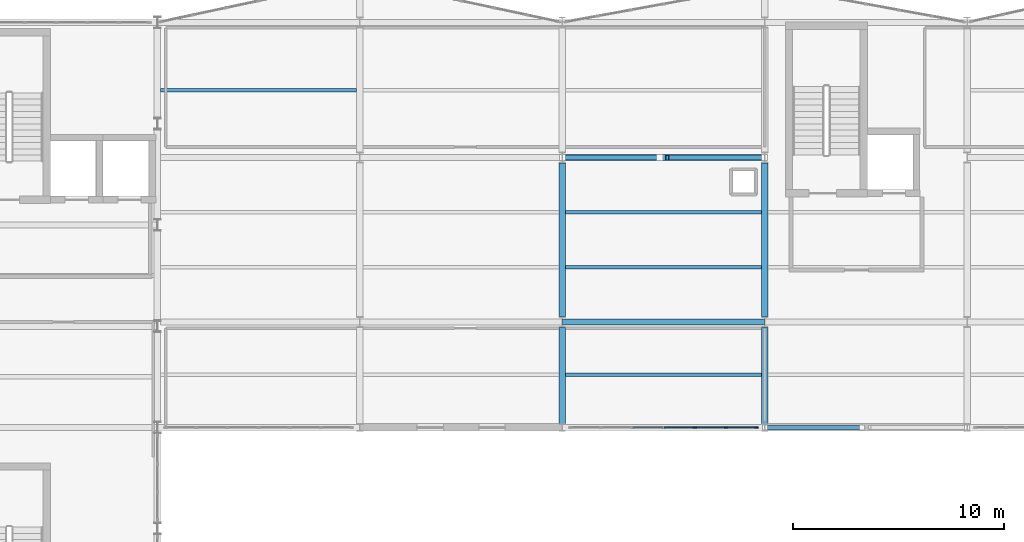
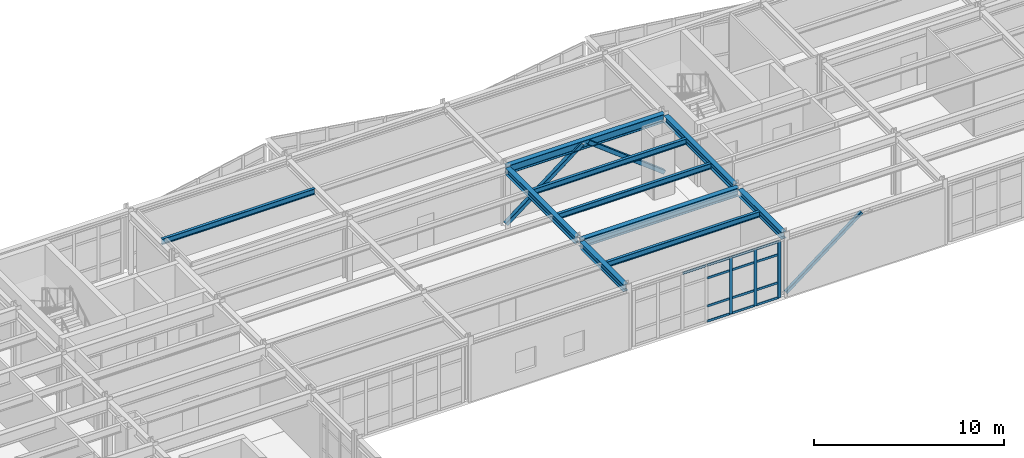
# One storey, part 34 of 76: 19 members, 10 beams, 1 element without a shape of its own.
"""IFC4 building model written with IfcOpenShell, lengths in metres."""

from ifc_helpers import new_model, si_unit, direction, frame, origin, origin_2d, place, context, subcontext, project, spatial, rectangle, hollow_rectangle, i_section, extrude, material, layer, layer_set, material_profile, profile_set, type_object, element, aggregate, save


model = new_model("IFC4")

# Units and contexts
model_context = context("Model", 3, precision=1e-05, world=origin(), true_north=direction((0.0, 1.0)))
body_context = subcontext(model_context, "Body", "Model", "MODEL_VIEW")
ifc_project = project(units=[si_unit("LENGTHUNIT", "METRE"), si_unit("AREAUNIT", "SQUARE_METRE"), si_unit("VOLUMEUNIT", "CUBIC_METRE"), si_unit("PLANEANGLEUNIT", "RADIAN"), si_unit("MASSUNIT", "GRAM", prefix="KILO")], contexts=[model_context])

# Site, building, storey
site_placement = place(None, origin())
site = spatial("IfcSite", under=ifc_project, at=site_placement, CompositionType="ELEMENT")
building_placement = place(site_placement, origin())
building = spatial("IfcBuilding", under=site, at=building_placement, Name="Nordkorset Police Headquarters", CompositionType="ELEMENT")
storey_placement = place(building_placement, frame((0.0, 0.0, 13.64990234375)))
storey = spatial("IfcBuildingStorey", under=building, at=storey_placement, Name="L03", CompositionType="ELEMENT", Elevation=13.64990234375)

# Beams
ifc_material_1 = material(Name="Steel S355J2", Category="steel")
ifc_material_profile_1 = material_profile(ifc_material_1, i_section(OverallWidth=0.169921875, OverallDepth=0.360107421875, WebThickness=0.008056640625, FlangeThickness=0.0126953125, FilletRadius=0.01806640625, at=origin_2d()), Name="IPE 360")
ifc_profile_set_1 = profile_set([ifc_material_profile_1], Name="Steel S355J2")
beam_type_1 = type_object("IfcBeamType", Name="Beam_IPE_360", PredefinedType="BEAM", material=ifc_profile_set_1)
for number, where, z_axis, x_axis, name in (
    (1, (28.949951171875, 113.60009765625, 3.800048828125), (1.0, 0.0, 0.0), (0.0, 1.0, 0.0), "Composite Floor Beam V2 L03 0-2-1"),
    (2, (48.14990234375, 100.10009765625, 3.800048828125), (1.0, 0.0, 0.0), (0.0, 1.0, 0.0), "Composite Floor Beam V2 L03 2-0-1"),
    (3, (48.14990234375, 105.199951171875, 3.800048828125), (1.0, 0.0, 0.0), (0.0, 1.0, 0.0), "Composite Floor Beam V2 L03 2-1-1"),
    (4, (48.14990234375, 107.800048828125, 3.800048828125), (1.0, 0.0, 0.0), (0.0, 1.0, 0.0), "Composite Floor Beam V2 L03 2-1-2"),
):
    element("IfcBeam", number, at=place(storey_placement, frame(where, z_axis=z_axis, x_axis=x_axis)), inside=storey, type_object=beam_type_1, Name=name, PredefinedType="BEAM", context=body_context, shape_type="SweptSolid", body=[
        extrude(i_section(OverallWidth=0.169921875, OverallDepth=0.360107421875, WebThickness=0.008056640625, FlangeThickness=0.0126953125, FilletRadius=0.01806640625, at=origin_2d()), origin(), (0.0, 0.0, 1.0), 9.300048828125),
    ])

# Members
ifc_material_2 = material(Name="Steel S355J2", Category="steel")
ifc_material_profile_2 = material_profile(ifc_material_2, hollow_rectangle(XDim=0.199951171875, YDim=0.199951171875, WallThickness=0.010009765625, InnerFilletRadius=0.010009765625, OuterFilletRadius=0.02001953125, at=origin_2d()), Name="SHS 200x200x10")
ifc_profile_set_2 = profile_set([ifc_material_profile_2], Name="Steel S355J2")
member_type_1 = type_object("IfcMemberType", Name="Brace_SHS_200x200x10", PredefinedType="BRACE", material=ifc_profile_set_2)
member_1_placement = place(storey_placement, frame((57.60595703125, 97.60009765625, 0.2001953125), z_axis=(0.791746363809, 0.0, 0.610849977814), x_axis=(0.0, 1.0, 0.0)))
element("IfcMember", 5, at=member_1_placement, inside=storey, type_object=member_type_1, Name="Lateral Chevron Brace BF-EXT-V2S L03 D1", PredefinedType="BRACE", context=body_context, shape_type="SweptSolid", body=[
    extrude(hollow_rectangle(XDim=0.199951171875, YDim=0.199951171875, WallThickness=0.010009765625, InnerFilletRadius=0.010009765625, OuterFilletRadius=0.02001953125, at=origin_2d()), origin(), (0.0, 0.0, 1.0), 5.82763671875),
])
ifc_material_3 = material(Name="Steel S355J2", Category="steel")
ifc_material_profile_3 = material_profile(ifc_material_3, hollow_rectangle(XDim=0.25, YDim=0.25, WallThickness=0.012451171875, InnerFilletRadius=0.012451171875, OuterFilletRadius=0.02490234375, at=origin_2d()), Name="SHS 250x250x12.5")
ifc_profile_set_3 = profile_set([ifc_material_profile_3], Name="Steel S355J2")
member_type_2 = type_object("IfcMemberType", Name="Brace_SHS_250x250x12.5", PredefinedType="BRACE", material=ifc_profile_set_3)
for number, where, z_axis, x_axis, name in (
    (6, (48.00732421875, 110.39990234375, 0.2001953125), (0.791668184032, 0.0, 0.610951296251), (0.0, 1.0, 0.0), "Lateral Chevron Brace BF-V2-A L03 D1"),
    (7, (57.5927734375, 110.39990234375, 0.2001953125), (-0.791668184032, 0.0, 0.610951296251), (0.0, -1.0, 0.0), "Lateral Chevron Brace BF-V2-A L03 D2"),
):
    element("IfcMember", number, at=place(storey_placement, frame(where, z_axis=z_axis, x_axis=x_axis)), inside=storey, type_object=member_type_2, Name=name, PredefinedType="BRACE", context=body_context, shape_type="SweptSolid", body=[
        extrude(hollow_rectangle(XDim=0.25, YDim=0.25, WallThickness=0.012451171875, InnerFilletRadius=0.012451171875, OuterFilletRadius=0.02490234375, at=origin_2d()), origin(), (0.0, 0.0, 1.0), 5.82666015625),
    ])

# Curtain wall, members
ifc_material_4 = material(Name="Aluminium alloy AW-6060", Category="aluminium")
ifc_layer = layer(ifc_material_4, 0.179931640625, Name="Aluminium alloy AW-6060")
ifc_layer_set = layer_set([ifc_layer], Name="Aluminium alloy AW-6060")
curtain_wall_type = type_object("IfcCurtainWallType", Name="CW_Unit_888x365", PredefinedType="USERDEFINED", material=ifc_layer_set)
curtain_wall_placement = place(storey_placement, origin())
curtain_wall = element("IfcCurtainWall", 8, at=curtain_wall_placement, inside=storey, type_object=curtain_wall_type, Name="Unitised Curtain Wall L03 V2S-2", ObjectType="UNITISED CURTAIN WALL", PredefinedType="USERDEFINED")
ifc_material_5 = material(Name="Aluminium alloy AW-6060", Category="aluminium")
ifc_material_profile_4 = material_profile(ifc_material_5, rectangle(XDim=0.06494140625, YDim=0.179931640625, at=origin_2d()), Name="ALU MULL 65x180")
ifc_profile_set_4 = profile_set([ifc_material_profile_4], Name="Aluminium alloy AW-6060")
member_type_3 = type_object("IfcMemberType", Name="CW_Mullion_65x180", PredefinedType="MULLION", material=ifc_profile_set_4)
member_2_placement = place(storey_placement, frame((54.280029296875, 97.60009765625, 0.0), z_axis=(0.0, 0.0, 1.0), x_axis=(0.0, 1.0, 0.0)))
member_2 = element("IfcMember", 9, at=member_2_placement, type_object=member_type_3, Name="CW-26 mullion 5", PredefinedType="MULLION", context=body_context, shape_type="SweptSolid", body=[
    extrude(rectangle(XDim=0.06494140625, YDim=0.179931640625, at=origin_2d()), origin(), (0.0, 0.0, 1.0), 3.650146484375),
])
member_3_placement = place(storey_placement, frame((55.760009765625, 97.60009765625, 0.0), z_axis=(0.0, 0.0, 1.0), x_axis=(0.0, 1.0, 0.0)))
member_3 = element("IfcMember", 10, at=member_3_placement, type_object=member_type_3, Name="CW-26 mullion 6", PredefinedType="MULLION", context=body_context, shape_type="SweptSolid", body=[
    extrude(rectangle(XDim=0.06494140625, YDim=0.179931640625, at=origin_2d()), origin(), (0.0, 0.0, 1.0), 3.650146484375),
])
member_4_placement = place(storey_placement, frame((57.20751953125, 97.60009765625, 0.0), z_axis=(0.0, 0.0, 1.0), x_axis=(0.0, 1.0, 0.0)))
member_4 = element("IfcMember", 11, at=member_4_placement, type_object=member_type_3, Name="CW-26 mullion 7", PredefinedType="MULLION", context=body_context, shape_type="SweptSolid", body=[
    extrude(rectangle(XDim=0.06494140625, YDim=0.179931640625, at=origin_2d()), origin(), (0.0, 0.0, 1.0), 3.650146484375),
])
ifc_material_6 = material(Name="Aluminium alloy AW-6060", Category="aluminium")
ifc_material_profile_5 = material_profile(ifc_material_6, rectangle(XDim=0.06494140625, YDim=0.139892578125, at=origin_2d()), Name="ALU TRAN 65x140")
ifc_profile_set_5 = profile_set([ifc_material_profile_5], Name="Aluminium alloy AW-6060")
member_type_4 = type_object("IfcMemberType", Name="CW_Transom_65x140", PredefinedType="USERDEFINED", material=ifc_profile_set_5)
member_5_placement = place(storey_placement, frame((51.3525390625, 97.60009765625, 3.61767578125), z_axis=(1.0, 0.0, 0.0), x_axis=(0.0, 1.0, 0.0)))
member_5 = element("IfcMember", 12, at=member_5_placement, type_object=member_type_4, Name="CW-26 transom 3.4", ObjectType="TRANSOM", PredefinedType="USERDEFINED", context=body_context, shape_type="SweptSolid", body=[
    extrude(rectangle(XDim=0.06494140625, YDim=0.139892578125, at=origin_2d()), origin(), (0.0, 0.0, 1.0), 1.4150390625),
])
member_6_placement = place(storey_placement, frame((52.83251953125, 97.60009765625, 0.03271484375), z_axis=(1.0, 0.0, 0.0), x_axis=(0.0, 1.0, 0.0)))
member_6 = element("IfcMember", 13, at=member_6_placement, type_object=member_type_4, Name="CW-26 transom 4.1", ObjectType="TRANSOM", PredefinedType="USERDEFINED", context=body_context, shape_type="SweptSolid", body=[
    extrude(rectangle(XDim=0.06494140625, YDim=0.139892578125, at=origin_2d()), origin(), (0.0, 0.0, 1.0), 1.4150390625),
])
member_7_placement = place(storey_placement, frame((52.83251953125, 97.60009765625, 1.0), z_axis=(1.0, 0.0, 0.0), x_axis=(0.0, 1.0, 0.0)))
member_7 = element("IfcMember", 14, at=member_7_placement, type_object=member_type_4, Name="CW-26 transom 4.2", ObjectType="TRANSOM", PredefinedType="USERDEFINED", context=body_context, shape_type="SweptSolid", body=[
    extrude(rectangle(XDim=0.06494140625, YDim=0.139892578125, at=origin_2d()), origin(), (0.0, 0.0, 1.0), 1.4150390625),
])
member_8_placement = place(storey_placement, frame((52.83251953125, 97.60009765625, 2.800048828125), z_axis=(1.0, 0.0, 0.0), x_axis=(0.0, 1.0, 0.0)))
member_8 = element("IfcMember", 15, at=member_8_placement, type_object=member_type_4, Name="CW-26 transom 4.3", ObjectType="TRANSOM", PredefinedType="USERDEFINED", context=body_context, shape_type="SweptSolid", body=[
    extrude(rectangle(XDim=0.06494140625, YDim=0.139892578125, at=origin_2d()), origin(), (0.0, 0.0, 1.0), 1.4150390625),
])
member_9_placement = place(storey_placement, frame((52.83251953125, 97.60009765625, 3.61767578125), z_axis=(1.0, 0.0, 0.0), x_axis=(0.0, 1.0, 0.0)))
member_9 = element("IfcMember", 16, at=member_9_placement, type_object=member_type_4, Name="CW-26 transom 4.4", ObjectType="TRANSOM", PredefinedType="USERDEFINED", context=body_context, shape_type="SweptSolid", body=[
    extrude(rectangle(XDim=0.06494140625, YDim=0.139892578125, at=origin_2d()), origin(), (0.0, 0.0, 1.0), 1.4150390625),
])
member_10_placement = place(storey_placement, frame((54.3125, 97.60009765625, 0.03271484375), z_axis=(1.0, 0.0, 0.0), x_axis=(0.0, 1.0, 0.0)))
member_10 = element("IfcMember", 17, at=member_10_placement, type_object=member_type_4, Name="CW-26 transom 5.1", ObjectType="TRANSOM", PredefinedType="USERDEFINED", context=body_context, shape_type="SweptSolid", body=[
    extrude(rectangle(XDim=0.06494140625, YDim=0.139892578125, at=origin_2d()), origin(), (0.0, 0.0, 1.0), 1.4150390625),
])
member_11_placement = place(storey_placement, frame((54.3125, 97.60009765625, 1.0), z_axis=(1.0, 0.0, 0.0), x_axis=(0.0, 1.0, 0.0)))
member_11 = element("IfcMember", 18, at=member_11_placement, type_object=member_type_4, Name="CW-26 transom 5.2", ObjectType="TRANSOM", PredefinedType="USERDEFINED", context=body_context, shape_type="SweptSolid", body=[
    extrude(rectangle(XDim=0.06494140625, YDim=0.139892578125, at=origin_2d()), origin(), (0.0, 0.0, 1.0), 1.4150390625),
])
member_12_placement = place(storey_placement, frame((54.3125, 97.60009765625, 2.800048828125), z_axis=(1.0, 0.0, 0.0), x_axis=(0.0, 1.0, 0.0)))
member_12 = element("IfcMember", 19, at=member_12_placement, type_object=member_type_4, Name="CW-26 transom 5.3", ObjectType="TRANSOM", PredefinedType="USERDEFINED", context=body_context, shape_type="SweptSolid", body=[
    extrude(rectangle(XDim=0.06494140625, YDim=0.139892578125, at=origin_2d()), origin(), (0.0, 0.0, 1.0), 1.4150390625),
])
member_13_placement = place(storey_placement, frame((54.3125, 97.60009765625, 3.61767578125), z_axis=(1.0, 0.0, 0.0), x_axis=(0.0, 1.0, 0.0)))
member_13 = element("IfcMember", 20, at=member_13_placement, type_object=member_type_4, Name="CW-26 transom 5.4", ObjectType="TRANSOM", PredefinedType="USERDEFINED", context=body_context, shape_type="SweptSolid", body=[
    extrude(rectangle(XDim=0.06494140625, YDim=0.139892578125, at=origin_2d()), origin(), (0.0, 0.0, 1.0), 1.4150390625),
])
member_14_placement = place(storey_placement, frame((55.79248046875, 97.60009765625, 0.03271484375), z_axis=(1.0, 0.0, 0.0), x_axis=(0.0, 1.0, 0.0)))
member_14 = element("IfcMember", 21, at=member_14_placement, type_object=member_type_4, Name="CW-26 transom 6.1", ObjectType="TRANSOM", PredefinedType="USERDEFINED", context=body_context, shape_type="SweptSolid", body=[
    extrude(rectangle(XDim=0.06494140625, YDim=0.139892578125, at=origin_2d()), origin(), (0.0, 0.0, 1.0), 1.382568359375),
])
member_15_placement = place(storey_placement, frame((55.79248046875, 97.60009765625, 1.0), z_axis=(1.0, 0.0, 0.0), x_axis=(0.0, 1.0, 0.0)))
member_15 = element("IfcMember", 22, at=member_15_placement, type_object=member_type_4, Name="CW-26 transom 6.2", ObjectType="TRANSOM", PredefinedType="USERDEFINED", context=body_context, shape_type="SweptSolid", body=[
    extrude(rectangle(XDim=0.06494140625, YDim=0.139892578125, at=origin_2d()), origin(), (0.0, 0.0, 1.0), 1.382568359375),
])
member_16_placement = place(storey_placement, frame((55.79248046875, 97.60009765625, 2.800048828125), z_axis=(1.0, 0.0, 0.0), x_axis=(0.0, 1.0, 0.0)))
member_16 = element("IfcMember", 23, at=member_16_placement, type_object=member_type_4, Name="CW-26 transom 6.3", ObjectType="TRANSOM", PredefinedType="USERDEFINED", context=body_context, shape_type="SweptSolid", body=[
    extrude(rectangle(XDim=0.06494140625, YDim=0.139892578125, at=origin_2d()), origin(), (0.0, 0.0, 1.0), 1.382568359375),
])
member_17_placement = place(storey_placement, frame((55.79248046875, 97.60009765625, 3.61767578125), z_axis=(1.0, 0.0, 0.0), x_axis=(0.0, 1.0, 0.0)))
member_17 = element("IfcMember", 24, at=member_17_placement, type_object=member_type_4, Name="CW-26 transom 6.4", ObjectType="TRANSOM", PredefinedType="USERDEFINED", context=body_context, shape_type="SweptSolid", body=[
    extrude(rectangle(XDim=0.06494140625, YDim=0.139892578125, at=origin_2d()), origin(), (0.0, 0.0, 1.0), 1.382568359375),
])
aggregate(curtain_wall, [member_2, member_3, member_4, member_5, member_6, member_7, member_8, member_9, member_10, member_11, member_12, member_13, member_14, member_15, member_16, member_17])

# Beams
ifc_material_7 = material(Name="Steel S355J2", Category="steel")
ifc_material_profile_6 = material_profile(ifc_material_7, i_section(OverallWidth=0.300048828125, OverallDepth=0.43994140625, WebThickness=0.011474609375, FlangeThickness=0.02099609375, FilletRadius=0.027099609375, at=origin_2d()), Name="HEA 450")
ifc_profile_set_6 = profile_set([ifc_material_profile_6], Name="Steel S355J2")
beam_type_2 = type_object("IfcBeamType", Name="Girder_HEA_450", PredefinedType="USERDEFINED", material=ifc_profile_set_6)
beam_1_placement = place(storey_placement, frame((48.0, 97.77001953125, 3.760009765625), z_axis=(0.0, 1.0, 0.0), x_axis=(-1.0, 0.0, 0.0)))
element("IfcBeam", 25, at=beam_1_placement, inside=storey, type_object=beam_type_2, Name="Girder V2 L03 GY-2-0", ObjectType="GIRDER", PredefinedType="USERDEFINED", context=body_context, shape_type="SweptSolid", body=[
    extrude(i_section(OverallWidth=0.300048828125, OverallDepth=0.43994140625, WebThickness=0.011474609375, FlangeThickness=0.02099609375, FilletRadius=0.027099609375, at=origin_2d()), origin(), (0.0, 0.0, 1.0), 4.580078125),
])
beam_2_placement = place(storey_placement, frame((48.0, 102.85009765625, 3.760009765625), z_axis=(0.0, 1.0, 0.0), x_axis=(-1.0, 0.0, 0.0)))
element("IfcBeam", 26, at=beam_2_placement, inside=storey, type_object=beam_type_2, Name="Girder V2 L03 GY-2-1", ObjectType="GIRDER", PredefinedType="USERDEFINED", context=body_context, shape_type="SweptSolid", body=[
    extrude(i_section(OverallWidth=0.300048828125, OverallDepth=0.43994140625, WebThickness=0.011474609375, FlangeThickness=0.02099609375, FilletRadius=0.027099609375, at=origin_2d()), origin(), (0.0, 0.0, 1.0), 7.2998046875),
])
beam_3_placement = place(storey_placement, frame((57.60009765625, 97.77001953125, 3.760009765625), z_axis=(0.0, 1.0, 0.0), x_axis=(-1.0, 0.0, 0.0)))
element("IfcBeam", 27, at=beam_3_placement, inside=storey, type_object=beam_type_2, Name="Girder V2 L03 GY-3-0", ObjectType="GIRDER", PredefinedType="USERDEFINED", context=body_context, shape_type="SweptSolid", body=[
    extrude(i_section(OverallWidth=0.300048828125, OverallDepth=0.43994140625, WebThickness=0.011474609375, FlangeThickness=0.02099609375, FilletRadius=0.027099609375, at=origin_2d()), origin(), (0.0, 0.0, 1.0), 4.580078125),
])
beam_4_placement = place(storey_placement, frame((57.60009765625, 102.85009765625, 3.760009765625), z_axis=(0.0, 1.0, 0.0), x_axis=(-1.0, 0.0, 0.0)))
element("IfcBeam", 28, at=beam_4_placement, inside=storey, type_object=beam_type_2, Name="Girder V2 L03 GY-3-1", ObjectType="GIRDER", PredefinedType="USERDEFINED", context=body_context, shape_type="SweptSolid", body=[
    extrude(i_section(OverallWidth=0.300048828125, OverallDepth=0.43994140625, WebThickness=0.011474609375, FlangeThickness=0.02099609375, FilletRadius=0.027099609375, at=origin_2d()), origin(), (0.0, 0.0, 1.0), 7.2998046875),
])
ifc_material_8 = material(Name="Steel S355J2", Category="steel")
ifc_material_profile_7 = material_profile(ifc_material_8, i_section(OverallWidth=0.300048828125, OverallDepth=0.5400390625, WebThickness=0.012451171875, FlangeThickness=0.02392578125, FilletRadius=0.027099609375, at=origin_2d()), Name="HEA 550")
ifc_profile_set_7 = profile_set([ifc_material_profile_7], Name="Steel S355J2")
beam_type_3 = type_object("IfcBeamType", Name="Girder_HEA_550", PredefinedType="USERDEFINED", material=ifc_profile_set_7)
for number, where, z_axis, x_axis, name in (
    (29, (48.00732421875, 102.60009765625, 3.710205078125), (1.0, 0.0, 0.0), (0.0, 1.0, 0.0), "Girder V2 L03 GX-1-2"),
    (30, (48.00732421875, 110.39990234375, 3.710205078125), (1.0, 0.0, 0.0), (0.0, 1.0, 0.0), "Girder V2 L03 GX-2-2"),
):
    element("IfcBeam", number, at=place(storey_placement, frame(where, z_axis=z_axis, x_axis=x_axis)), inside=storey, type_object=beam_type_3, Name=name, ObjectType="GIRDER", PredefinedType="USERDEFINED", context=body_context, shape_type="SweptSolid", body=[
        extrude(i_section(OverallWidth=0.300048828125, OverallDepth=0.5400390625, WebThickness=0.012451171875, FlangeThickness=0.02392578125, FilletRadius=0.027099609375, at=origin_2d()), origin(), (0.0, 0.0, 1.0), 9.58544921875),
    ])

save(model, "model.ifc")
